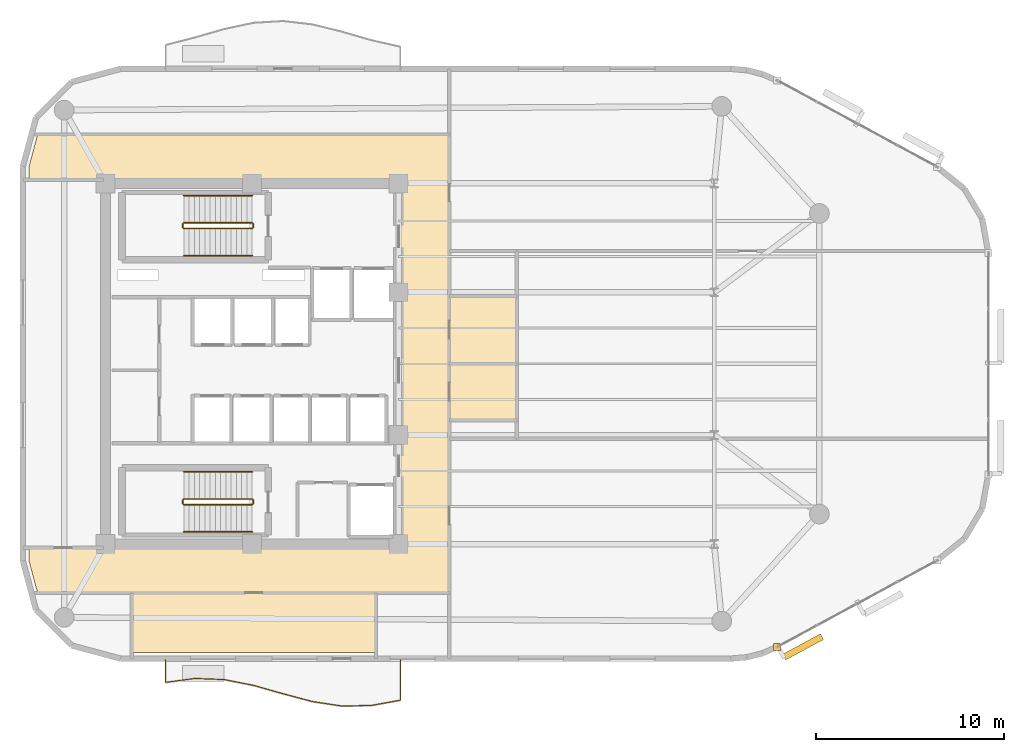
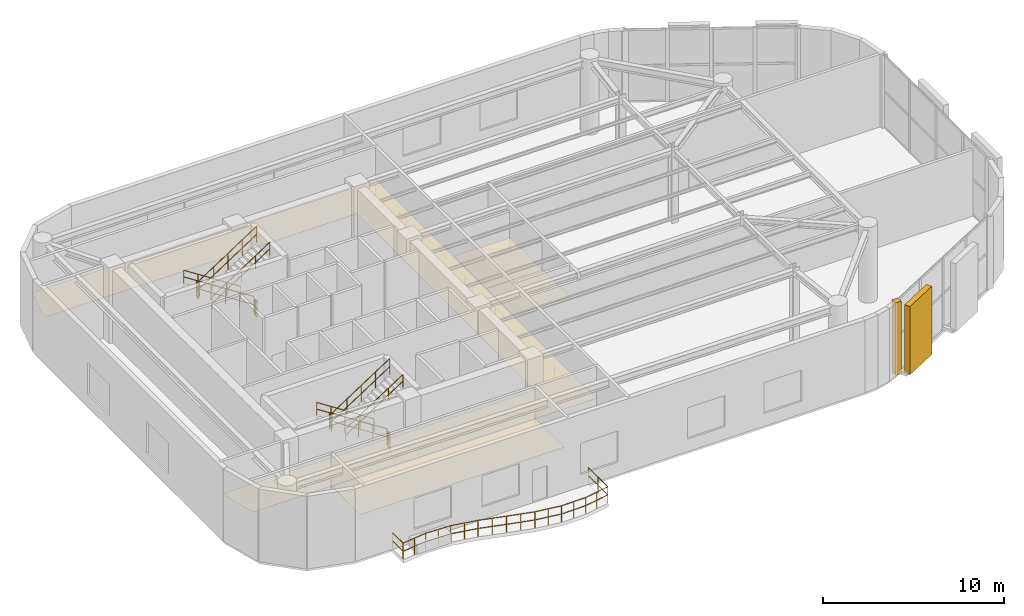
# One storey, part 10 of 11: 13 railings, 5 coverings, 1 shading device.
"""IFC4 building model written with IfcOpenShell, lengths in metres."""

from ifc_helpers import new_model, si_unit, direction, frame, origin, origin_2d, place, context, subcontext, project, spatial, polyline, rectangle, circle, outline, extrude, material, layer, layer_set, type_object, element, save


model = new_model("IFC4")

# Units and contexts
model_context = context("Model", 3, precision=1e-05, world=origin(), true_north=direction((0.0, 1.0)))
body_context = subcontext(model_context, "Body", "Model", "MODEL_VIEW")
ifc_project = project(units=[si_unit("LENGTHUNIT", "METRE"), si_unit("AREAUNIT", "SQUARE_METRE"), si_unit("VOLUMEUNIT", "CUBIC_METRE"), si_unit("PLANEANGLEUNIT", "RADIAN"), si_unit("MASSUNIT", "GRAM", prefix="KILO")], contexts=[model_context])

# Site, building, storey
site_placement = place(None, origin())
site = spatial("IfcSite", under=ifc_project, at=site_placement, CompositionType="ELEMENT")
building_placement = place(site_placement, origin())
building = spatial("IfcBuilding", under=site, at=building_placement, Name="An Khanh Terracotta Commons", CompositionType="ELEMENT")
storey_placement = place(building_placement, frame((0.0, 0.0, 196.199951171875)))
storey = spatial("IfcBuildingStorey", under=building, at=storey_placement, Name="L51", CompositionType="ELEMENT", Elevation=196.199951171875)

# Coverings
ifc_material_1 = material(Name="Perforated Mineral-Fibre Acoustic Tile")
ifc_layer_1 = layer(ifc_material_1, 0.02001953125, Name="Perforated Mineral-Fibre Acoustic Tile")
ifc_layer_set_1 = layer_set([ifc_layer_1], Name="Perforated Mineral-Fibre Acoustic Tile")
covering_type_1 = type_object("IfcCoveringType", Name="CEIL-ACOUSTIC-18", PredefinedType="CEILING", material=ifc_layer_set_1)
covering_1_placement = place(storey_placement, frame((0.0, 0.0, 2.650146484375)))
element("IfcCovering", 1, at=covering_1_placement, inside=storey, type_object=covering_type_1, Name="L51 Sky Lobby Ceiling", PredefinedType="CEILING", context=body_context, shape_type="SweptSolid", body=[
    extrude(outline(polyline([(17.987060546875, 11.800048828125), (17.52001953125, 13.5419921875), (17.52001953125, 14.199951171875), (37.300048828125, 14.199951171875), (37.300048828125, 14.280029296875), (37.320068359375, 14.280029296875), (37.320068359375, 33.719970703125), (37.300048828125, 33.719970703125), (37.300048828125, 33.800048828125), (17.52001953125, 33.800048828125), (17.52001953125, 34.4580078125), (17.987060546875, 36.199951171875), (39.89990234375, 36.199951171875), (39.89990234375, 35.800048828125), (39.89990234375, 33.800048828125), (39.89990234375, 14.199951171875), (39.89990234375, 12.199951171875), (39.89990234375, 11.800048828125), (17.987060546875, 11.800048828125)])), origin(), (0.0, 0.0, 1.0), 0.02001953125),
])
covering_2_placement = place(storey_placement, frame((0.0, 0.0, 2.650146484375)))
element("IfcCovering", 2, at=covering_2_placement, inside=storey, type_object=covering_type_1, Name="L51 Sky Lobby Accessible WC Ceiling", PredefinedType="CEILING", context=body_context, shape_type="SweptSolid", body=[
    extrude(outline(polyline([(39.89990234375, 24.0), (43.5, 24.0), (43.5, 21.0), (39.89990234375, 21.0), (39.89990234375, 24.0)])), origin(), (0.0, 0.0, 1.0), 0.02001953125),
])
covering_3_placement = place(storey_placement, frame((0.0, 0.0, 2.650146484375)))
element("IfcCovering", 3, at=covering_3_placement, inside=storey, type_object=covering_type_1, Name="L51 Sky Lobby Public Restrooms Ceiling", PredefinedType="CEILING", context=body_context, shape_type="SweptSolid", body=[
    extrude(outline(polyline([(39.89990234375, 27.60009765625), (43.5, 27.60009765625), (43.5, 24.0), (39.89990234375, 24.0), (39.89990234375, 27.60009765625)])), origin(), (0.0, 0.0, 1.0), 0.02001953125),
])
covering_4_placement = place(storey_placement, frame((0.0, 0.0, 2.650146484375)))
element("IfcCovering", 4, at=covering_4_placement, inside=storey, type_object=covering_type_1, Name="L51 Sky Lobby Pantry Store Ceiling", PredefinedType="CEILING", context=body_context, shape_type="SweptSolid", body=[
    extrude(outline(polyline([(23.0, 8.6201171875), (23.0, 11.800048828125), (36.0, 11.800048828125), (36.0, 8.6201171875), (23.0, 8.6201171875)])), origin(), (0.0, 0.0, 1.0), 0.02001953125),
])
ifc_material_2 = material(Name="Fired Terracotta Rainscreen Cladding", Category="masonry")
ifc_layer_2 = layer(ifc_material_2, 0.080078125, Name="Fired Terracotta Rainscreen Cladding")
ifc_layer_set_2 = layer_set([ifc_layer_2], Name="Fired Terracotta Rainscreen Cladding")
covering_type_2 = type_object("IfcCoveringType", Name="COV-JAMB-TERRA", PredefinedType="CLADDING", material=ifc_layer_set_2)
covering_5_placement = place(storey_placement, frame((57.35693359375, 8.925048828125, 0.0), z_axis=(0.0, 0.0, 1.0), x_axis=(1.0, 0.0, 0.0)))
element("IfcCovering", 5, at=covering_5_placement, inside=storey, type_object=covering_type_2, Name="L51 CW-04 Curtain-Wall Jamb Closure JA", PredefinedType="CLADDING", context=body_context, shape_type="SweptSolid", body=[
    extrude(rectangle(XDim=0.3798828125, YDim=0.3798828125, at=origin_2d()), origin(), (0.0, 0.0, 1.0), 4.89990234375),
])

# Railings
ifc_material_3 = material(Name="Brushed Stainless Steel 316", Category="steel")
railing_type_1 = type_object("IfcRailingType", Name="RAIL-BALUSTRADE-1100", PredefinedType="BALUSTRADE", material=ifc_material_3)
railing_1_placement = place(storey_placement, frame((24.800048828125, 8.239990234375, 0.0)))
element("IfcRailing", 6, at=railing_1_placement, inside=storey, type_object=railing_type_1, Name="L51 S Wave Balcony Guard Balustrade", PredefinedType="BALUSTRADE", context=body_context, shape_type="SweptSolid", body=[
    extrude(circle(Radius=0.02392578125, at=origin_2d()), frame((0.0, 0.0, 1.076171875), z_axis=(0.0, -1.0, 0.0), x_axis=(1.0, 0.0, 0.0)), (0.0, 0.0, 1.0), 1.199951171875),
    extrude(circle(Radius=0.02392578125, at=origin_2d()), frame((0.0, 0.0, 0.52587890625), z_axis=(0.0, -1.0, 0.0), x_axis=(1.0, 0.0, 0.0)), (0.0, 0.0, 1.0), 1.199951171875),
    extrude(circle(Radius=0.02392578125, at=origin_2d()), frame((0.0, -1.199951171875, 1.076171875), z_axis=(0.991179155362, 0.132528796781, 0.0), x_axis=(-0.132528796781, 0.991179155362, 0.0)), (0.0, 0.0, 1.0), 1.576904296875),
    extrude(circle(Radius=0.02392578125, at=origin_2d()), frame((0.0, -1.199951171875, 0.52587890625), z_axis=(0.991179155362, 0.132528796781, 0.0), x_axis=(-0.132528796781, 0.991179155362, 0.0)), (0.0, 0.0, 1.0), 1.576904296875),
    extrude(circle(Radius=0.02392578125, at=origin_2d()), frame((1.56298828125, -0.990966796875, 1.076171875), z_axis=(0.999237456582, -0.039044914684, 0.0), x_axis=(0.039044914684, 0.999237456582, 0.0)), (0.0, 0.0, 1.0), 1.563232421875),
    extrude(circle(Radius=0.02392578125, at=origin_2d()), frame((1.56298828125, -0.990966796875, 0.52587890625), z_axis=(0.999237456582, -0.039044914684, 0.0), x_axis=(0.039044914684, 0.999237456582, 0.0)), (0.0, 0.0, 1.0), 1.563232421875),
    extrude(circle(Radius=0.02392578125, at=origin_2d()), frame((3.125, -1.052001953125, 1.076171875), z_axis=(0.981119203347, -0.193404004159, 0.0), x_axis=(0.193404004159, 0.981119203347, 0.0)), (0.0, 0.0, 1.0), 1.593017578125),
    extrude(circle(Radius=0.02392578125, at=origin_2d()), frame((3.125, -1.052001953125, 0.52587890625), z_axis=(0.981119203347, -0.193404004159, 0.0), x_axis=(0.193404004159, 0.981119203347, 0.0)), (0.0, 0.0, 1.0), 1.593017578125),
    extrude(circle(Radius=0.02392578125, at=origin_2d()), frame((4.68798828125, -1.360107421875, 1.076171875), z_axis=(0.961920085943, -0.273330840301, 0.0), x_axis=(0.273330840301, 0.961920085943, 0.0)), (0.0, 0.0, 1.0), 1.623779296875),
    extrude(circle(Radius=0.02392578125, at=origin_2d()), frame((4.68798828125, -1.360107421875, 0.52587890625), z_axis=(0.961920085943, -0.273330840301, 0.0), x_axis=(0.273330840301, 0.961920085943, 0.0)), (0.0, 0.0, 1.0), 1.623779296875),
    extrude(circle(Radius=0.02392578125, at=origin_2d()), frame((6.25, -1.803955078125, 1.076171875), z_axis=(0.966315109969, -0.257361823599, 0.0), x_axis=(0.257361823599, 0.966315109969, 0.0)), (0.0, 0.0, 1.0), 1.616455078125),
    extrude(circle(Radius=0.02392578125, at=origin_2d()), frame((6.25, -1.803955078125, 0.52587890625), z_axis=(0.966315109969, -0.257361823599, 0.0), x_axis=(0.257361823599, 0.966315109969, 0.0)), (0.0, 0.0, 1.0), 1.616455078125),
    extrude(circle(Radius=0.02392578125, at=origin_2d()), frame((7.81201171875, -2.219970703125, 1.076171875), z_axis=(0.988600856151, -0.150560111644, 0.0), x_axis=(0.150560111644, 0.988600856151, 0.0)), (0.0, 0.0, 1.0), 1.5810546875),
    extrude(circle(Radius=0.02392578125, at=origin_2d()), frame((7.81201171875, -2.219970703125, 0.52587890625), z_axis=(0.988600856151, -0.150560111644, 0.0), x_axis=(0.150560111644, 0.988600856151, 0.0)), (0.0, 0.0, 1.0), 1.5810546875),
    extrude(circle(Radius=0.02392578125, at=origin_2d()), frame((9.375, -2.4580078125, 1.076171875), z_axis=(0.999838500197, 0.017971464133, 0.0), x_axis=(-0.017971464133, 0.999838500197, 0.0)), (0.0, 0.0, 1.0), 1.562255859375),
    extrude(circle(Radius=0.02392578125, at=origin_2d()), frame((9.375, -2.4580078125, 0.52587890625), z_axis=(0.999838500197, 0.017971464133, 0.0), x_axis=(-0.017971464133, 0.999838500197, 0.0)), (0.0, 0.0, 1.0), 1.562255859375),
    extrude(circle(Radius=0.02392578125, at=origin_2d()), frame((10.93701171875, -2.429931640625, 1.076171875), z_axis=(0.984004887258, 0.178141465844, 0.0), x_axis=(-0.178141465844, 0.984004887258, 0.0)), (0.0, 0.0, 1.0), 1.58837890625),
    extrude(circle(Radius=0.02392578125, at=origin_2d()), frame((10.93701171875, -2.429931640625, 0.52587890625), z_axis=(0.984004887258, 0.178141465844, 0.0), x_axis=(-0.178141465844, 0.984004887258, 0.0)), (0.0, 0.0, 1.0), 1.58837890625),
    extrude(circle(Radius=0.02392578125, at=origin_2d()), frame((12.5, -2.14697265625, 1.076171875), z_axis=(0.0, 1.0, 0.0), x_axis=(-1.0, 0.0, 0.0)), (0.0, 0.0, 1.0), 2.14697265625),
    extrude(circle(Radius=0.02392578125, at=origin_2d()), frame((12.5, -2.14697265625, 0.52587890625), z_axis=(0.0, 1.0, 0.0), x_axis=(-1.0, 0.0, 0.0)), (0.0, 0.0, 1.0), 2.14697265625),
    extrude(circle(Radius=0.02099609375, at=origin_2d()), origin(), (0.0, 0.0, 1.0), 1.052001953125),
    extrude(circle(Radius=0.02099609375, at=origin_2d()), frame((0.0, -1.199951171875, 0.0)), (0.0, 0.0, 1.0), 1.052001953125),
    extrude(circle(Radius=0.02099609375, at=origin_2d()), frame((0.781494140625, -1.095458984375, 0.0)), (0.0, 0.0, 1.0), 1.052001953125),
    extrude(circle(Radius=0.02099609375, at=origin_2d()), frame((1.56298828125, -0.990966796875, 0.0)), (0.0, 0.0, 1.0), 1.052001953125),
    extrude(circle(Radius=0.02099609375, at=origin_2d()), frame((2.343994140625, -1.021484375, 0.0)), (0.0, 0.0, 1.0), 1.052001953125),
    extrude(circle(Radius=0.02099609375, at=origin_2d()), frame((3.125, -1.052001953125, 0.0)), (0.0, 0.0, 1.0), 1.052001953125),
    extrude(circle(Radius=0.02099609375, at=origin_2d()), frame((3.906494140625, -1.2060546875, 0.0)), (0.0, 0.0, 1.0), 1.052001953125),
    extrude(circle(Radius=0.02099609375, at=origin_2d()), frame((4.68798828125, -1.360107421875, 0.0)), (0.0, 0.0, 1.0), 1.052001953125),
    extrude(circle(Radius=0.02099609375, at=origin_2d()), frame((5.468994140625, -1.58203125, 0.0)), (0.0, 0.0, 1.0), 1.052001953125),
    extrude(circle(Radius=0.02099609375, at=origin_2d()), frame((6.25, -1.803955078125, 0.0)), (0.0, 0.0, 1.0), 1.052001953125),
    extrude(circle(Radius=0.02099609375, at=origin_2d()), frame((7.031005859375, -2.011962890625, 0.0)), (0.0, 0.0, 1.0), 1.052001953125),
    extrude(circle(Radius=0.02099609375, at=origin_2d()), frame((7.81201171875, -2.219970703125, 0.0)), (0.0, 0.0, 1.0), 1.052001953125),
    extrude(circle(Radius=0.02099609375, at=origin_2d()), frame((8.593505859375, -2.3388671875, 0.0)), (0.0, 0.0, 1.0), 1.052001953125),
    extrude(circle(Radius=0.02099609375, at=origin_2d()), frame((9.375, -2.4580078125, 0.0)), (0.0, 0.0, 1.0), 1.052001953125),
    extrude(circle(Radius=0.02099609375, at=origin_2d()), frame((10.156005859375, -2.44384765625, 0.0)), (0.0, 0.0, 1.0), 1.052001953125),
    extrude(circle(Radius=0.02099609375, at=origin_2d()), frame((10.93701171875, -2.429931640625, 0.0)), (0.0, 0.0, 1.0), 1.052001953125),
    extrude(circle(Radius=0.02099609375, at=origin_2d()), frame((11.718505859375, -2.28857421875, 0.0)), (0.0, 0.0, 1.0), 1.052001953125),
    extrude(circle(Radius=0.02099609375, at=origin_2d()), frame((12.5, -2.14697265625, 0.0)), (0.0, 0.0, 1.0), 1.052001953125),
    extrude(circle(Radius=0.02099609375, at=origin_2d()), frame((12.5, -1.073486328125, 0.0)), (0.0, 0.0, 1.0), 1.052001953125),
    extrude(circle(Radius=0.02099609375, at=origin_2d()), frame((12.5, 0.0, 0.0)), (0.0, 0.0, 1.0), 1.052001953125),
])
railing_type_2 = type_object("IfcRailingType", Name="RAIL-HANDRAIL-900", PredefinedType="HANDRAIL", material=ifc_material_3)
railing_2_placement = place(storey_placement, frame((29.409912109375, 32.949951171875, 0.18212890625)))
element("IfcRailing", 7, at=railing_2_placement, inside=storey, type_object=railing_type_2, Name="L51 ST-01 stair handrail 1", PredefinedType="HANDRAIL", context=body_context, shape_type="SweptSolid", body=[
    extrude(circle(Radius=0.02392578125, at=origin_2d()), frame((0.0, 0.0, 0.8759765625), z_axis=(-0.838234174257, 0.0, 0.545310433706), x_axis=(0.0, -1.0, 0.0)), (0.0, 0.0, 1.0), 4.34228515625),
    extrude(circle(Radius=0.02392578125, at=origin_2d()), frame((0.0, 0.0, 0.42578125), z_axis=(-0.838234174257, 0.0, 0.545310433706), x_axis=(0.0, -1.0, 0.0)), (0.0, 0.0, 1.0), 4.34228515625),
    extrude(circle(Radius=0.02099609375, at=origin_2d()), origin(), (0.0, 0.0, 1.0), 0.851806640625),
    extrude(circle(Radius=0.02099609375, at=origin_2d()), frame((-0.909912109375, 0.0, 0.592041015625)), (0.0, 0.0, 1.0), 0.851806640625),
    extrude(circle(Radius=0.02099609375, at=origin_2d()), frame((-1.81982421875, 0.0, 1.18408203125)), (0.0, 0.0, 1.0), 0.851806640625),
    extrude(circle(Radius=0.02099609375, at=origin_2d()), frame((-2.72998046875, 0.0, 1.77587890625)), (0.0, 0.0, 1.0), 0.851806640625),
    extrude(circle(Radius=0.02099609375, at=origin_2d()), frame((-3.639892578125, 0.0, 2.367919921875)), (0.0, 0.0, 1.0), 0.851806640625),
])
railing_3_placement = place(storey_placement, frame((25.77001953125, 29.75, 2.732177734375)))
element("IfcRailing", 8, at=railing_3_placement, inside=storey, type_object=railing_type_2, Name="L51 ST-01 stair handrail 2", PredefinedType="HANDRAIL", context=body_context, shape_type="SweptSolid", body=[
    extrude(circle(Radius=0.02392578125, at=origin_2d()), frame((0.0, 0.0, 0.8759765625), z_axis=(0.838234174257, 0.0, 0.545310433706), x_axis=(0.0, 1.0, 0.0)), (0.0, 0.0, 1.0), 4.34228515625),
    extrude(circle(Radius=0.02392578125, at=origin_2d()), frame((0.0, 0.0, 0.42578125), z_axis=(0.838234174257, 0.0, 0.545310433706), x_axis=(0.0, 1.0, 0.0)), (0.0, 0.0, 1.0), 4.34228515625),
    extrude(circle(Radius=0.02099609375, at=origin_2d()), origin(), (0.0, 0.0, 1.0), 0.851806640625),
    extrude(circle(Radius=0.02099609375, at=origin_2d()), frame((0.909912109375, 0.0, 0.592041015625)), (0.0, 0.0, 1.0), 0.851806640625),
    extrude(circle(Radius=0.02099609375, at=origin_2d()), frame((1.81982421875, 0.0, 1.18408203125)), (0.0, 0.0, 1.0), 0.851806640625),
    extrude(circle(Radius=0.02099609375, at=origin_2d()), frame((2.72998046875, 0.0, 1.77587890625)), (0.0, 0.0, 1.0), 0.851806640625),
    extrude(circle(Radius=0.02099609375, at=origin_2d()), frame((3.639892578125, 0.0, 2.367919921875)), (0.0, 0.0, 1.0), 0.851806640625),
])
railing_4_placement = place(storey_placement, frame((29.409912109375, 18.25, 0.18212890625)))
element("IfcRailing", 9, at=railing_4_placement, inside=storey, type_object=railing_type_2, Name="L51 ST-02 stair handrail 1", PredefinedType="HANDRAIL", context=body_context, shape_type="SweptSolid", body=[
    extrude(circle(Radius=0.02392578125, at=origin_2d()), frame((0.0, 0.0, 0.8759765625), z_axis=(-0.838234174257, 0.0, 0.545310433706), x_axis=(0.0, -1.0, 0.0)), (0.0, 0.0, 1.0), 4.34228515625),
    extrude(circle(Radius=0.02392578125, at=origin_2d()), frame((0.0, 0.0, 0.42578125), z_axis=(-0.838234174257, 0.0, 0.545310433706), x_axis=(0.0, -1.0, 0.0)), (0.0, 0.0, 1.0), 4.34228515625),
    extrude(circle(Radius=0.02099609375, at=origin_2d()), origin(), (0.0, 0.0, 1.0), 0.851806640625),
    extrude(circle(Radius=0.02099609375, at=origin_2d()), frame((-0.909912109375, 0.0, 0.592041015625)), (0.0, 0.0, 1.0), 0.851806640625),
    extrude(circle(Radius=0.02099609375, at=origin_2d()), frame((-1.81982421875, 0.0, 1.18408203125)), (0.0, 0.0, 1.0), 0.851806640625),
    extrude(circle(Radius=0.02099609375, at=origin_2d()), frame((-2.72998046875, 0.0, 1.77587890625)), (0.0, 0.0, 1.0), 0.851806640625),
    extrude(circle(Radius=0.02099609375, at=origin_2d()), frame((-3.639892578125, 0.0, 2.367919921875)), (0.0, 0.0, 1.0), 0.851806640625),
])
railing_5_placement = place(storey_placement, frame((25.77001953125, 15.050048828125, 2.732177734375)))
element("IfcRailing", 10, at=railing_5_placement, inside=storey, type_object=railing_type_2, Name="L51 ST-02 stair handrail 2", PredefinedType="HANDRAIL", context=body_context, shape_type="SweptSolid", body=[
    extrude(circle(Radius=0.02392578125, at=origin_2d()), frame((0.0, 0.0, 0.8759765625), z_axis=(0.838234174257, 0.0, 0.545310433706), x_axis=(0.0, 1.0, 0.0)), (0.0, 0.0, 1.0), 4.34228515625),
    extrude(circle(Radius=0.02392578125, at=origin_2d()), frame((0.0, 0.0, 0.42578125), z_axis=(0.838234174257, 0.0, 0.545310433706), x_axis=(0.0, 1.0, 0.0)), (0.0, 0.0, 1.0), 4.34228515625),
    extrude(circle(Radius=0.02099609375, at=origin_2d()), origin(), (0.0, 0.0, 1.0), 0.851806640625),
    extrude(circle(Radius=0.02099609375, at=origin_2d()), frame((0.909912109375, 0.0, 0.592041015625)), (0.0, 0.0, 1.0), 0.851806640625),
    extrude(circle(Radius=0.02099609375, at=origin_2d()), frame((1.81982421875, 0.0, 1.18408203125)), (0.0, 0.0, 1.0), 0.851806640625),
    extrude(circle(Radius=0.02099609375, at=origin_2d()), frame((2.72998046875, 0.0, 1.77587890625)), (0.0, 0.0, 1.0), 0.851806640625),
    extrude(circle(Radius=0.02099609375, at=origin_2d()), frame((3.639892578125, 0.0, 2.367919921875)), (0.0, 0.0, 1.0), 0.851806640625),
])
ifc_material_4 = material(Name="Powder-Coated Steel S355J2", Category="steel")
railing_type_3 = type_object("IfcRailingType", Name="RAIL-STAIR-GUARD-1100", PredefinedType="BALUSTRADE", material=ifc_material_4)
railing_6_placement = place(storey_placement, frame((29.409912109375, 31.5, 0.18212890625)))
element("IfcRailing", 11, at=railing_6_placement, inside=storey, type_object=railing_type_3, Name="L51 ST-01 stair guard 1", PredefinedType="BALUSTRADE", context=body_context, shape_type="SweptSolid", body=[
    extrude(circle(Radius=0.02392578125, at=origin_2d()), frame((0.0, 0.0, 1.076171875), z_axis=(-0.838234174257, 0.0, 0.545310433706), x_axis=(0.0, -1.0, 0.0)), (0.0, 0.0, 1.0), 4.34228515625),
    extrude(circle(Radius=0.02392578125, at=origin_2d()), frame((0.0, 0.0, 0.52587890625), z_axis=(-0.838234174257, 0.0, 0.545310433706), x_axis=(0.0, -1.0, 0.0)), (0.0, 0.0, 1.0), 4.34228515625),
    extrude(circle(Radius=0.02099609375, at=origin_2d()), origin(), (0.0, 0.0, 1.0), 1.052001953125),
    extrude(circle(Radius=0.02099609375, at=origin_2d()), frame((-0.909912109375, 0.0, 0.592041015625)), (0.0, 0.0, 1.0), 1.052001953125),
    extrude(circle(Radius=0.02099609375, at=origin_2d()), frame((-1.81982421875, 0.0, 1.18408203125)), (0.0, 0.0, 1.0), 1.052001953125),
    extrude(circle(Radius=0.02099609375, at=origin_2d()), frame((-2.72998046875, 0.0, 1.77587890625)), (0.0, 0.0, 1.0), 1.052001953125),
    extrude(circle(Radius=0.02099609375, at=origin_2d()), frame((-3.639892578125, 0.0, 2.367919921875)), (0.0, 0.0, 1.0), 1.052001953125),
])
railing_7_placement = place(storey_placement, frame((25.719970703125, 31.449951171875, 2.550048828125)))
element("IfcRailing", 12, at=railing_7_placement, inside=storey, type_object=railing_type_3, Name="L51 ST-01 stair guard 2", PredefinedType="BALUSTRADE", context=body_context, shape_type="SweptSolid", body=[
    extrude(circle(Radius=0.02392578125, at=origin_2d()), frame((0.0, 0.0, 1.076171875), z_axis=(0.0, -1.0, 0.0), x_axis=(1.0, 0.0, 0.0)), (0.0, 0.0, 1.0), 0.199951171875),
    extrude(circle(Radius=0.02392578125, at=origin_2d()), frame((0.0, 0.0, 0.52587890625), z_axis=(0.0, -1.0, 0.0), x_axis=(1.0, 0.0, 0.0)), (0.0, 0.0, 1.0), 0.199951171875),
    extrude(circle(Radius=0.02099609375, at=origin_2d()), origin(), (0.0, 0.0, 1.0), 1.052001953125),
    extrude(circle(Radius=0.02099609375, at=origin_2d()), frame((0.0, -0.199951171875, 0.0)), (0.0, 0.0, 1.0), 1.052001953125),
])
railing_8_placement = place(storey_placement, frame((25.77001953125, 31.199951171875, 2.732177734375)))
element("IfcRailing", 13, at=railing_8_placement, inside=storey, type_object=railing_type_3, Name="L51 ST-01 stair guard 3", PredefinedType="BALUSTRADE", context=body_context, shape_type="SweptSolid", body=[
    extrude(circle(Radius=0.02392578125, at=origin_2d()), frame((0.0, 0.0, 1.076171875), z_axis=(0.838234174257, 0.0, 0.545310433706), x_axis=(0.0, 1.0, 0.0)), (0.0, 0.0, 1.0), 4.34228515625),
    extrude(circle(Radius=0.02392578125, at=origin_2d()), frame((0.0, 0.0, 0.52587890625), z_axis=(0.838234174257, 0.0, 0.545310433706), x_axis=(0.0, 1.0, 0.0)), (0.0, 0.0, 1.0), 4.34228515625),
    extrude(circle(Radius=0.02099609375, at=origin_2d()), origin(), (0.0, 0.0, 1.0), 1.052001953125),
    extrude(circle(Radius=0.02099609375, at=origin_2d()), frame((0.909912109375, 0.0, 0.592041015625)), (0.0, 0.0, 1.0), 1.052001953125),
    extrude(circle(Radius=0.02099609375, at=origin_2d()), frame((1.81982421875, 0.0, 1.18408203125)), (0.0, 0.0, 1.0), 1.052001953125),
    extrude(circle(Radius=0.02099609375, at=origin_2d()), frame((2.72998046875, 0.0, 1.77587890625)), (0.0, 0.0, 1.0), 1.052001953125),
    extrude(circle(Radius=0.02099609375, at=origin_2d()), frame((3.639892578125, 0.0, 2.367919921875)), (0.0, 0.0, 1.0), 1.052001953125),
])
railing_9_placement = place(storey_placement, frame((29.4599609375, 31.449951171875, 0.0)))
element("IfcRailing", 14, at=railing_9_placement, inside=storey, type_object=railing_type_3, Name="L51 ST-01 stair guard 4", PredefinedType="BALUSTRADE", context=body_context, shape_type="SweptSolid", body=[
    extrude(circle(Radius=0.02392578125, at=origin_2d()), frame((0.0, 0.0, 1.076171875), z_axis=(0.0, -1.0, 0.0), x_axis=(1.0, 0.0, 0.0)), (0.0, 0.0, 1.0), 0.199951171875),
    extrude(circle(Radius=0.02392578125, at=origin_2d()), frame((0.0, 0.0, 0.52587890625), z_axis=(0.0, -1.0, 0.0), x_axis=(1.0, 0.0, 0.0)), (0.0, 0.0, 1.0), 0.199951171875),
    extrude(circle(Radius=0.02099609375, at=origin_2d()), origin(), (0.0, 0.0, 1.0), 1.052001953125),
    extrude(circle(Radius=0.02099609375, at=origin_2d()), frame((0.0, -0.199951171875, 0.0)), (0.0, 0.0, 1.0), 1.052001953125),
])
railing_10_placement = place(storey_placement, frame((29.409912109375, 16.800048828125, 0.18212890625)))
element("IfcRailing", 15, at=railing_10_placement, inside=storey, type_object=railing_type_3, Name="L51 ST-02 stair guard 1", PredefinedType="BALUSTRADE", context=body_context, shape_type="SweptSolid", body=[
    extrude(circle(Radius=0.02392578125, at=origin_2d()), frame((0.0, 0.0, 1.076171875), z_axis=(-0.838234174257, 0.0, 0.545310433706), x_axis=(0.0, -1.0, 0.0)), (0.0, 0.0, 1.0), 4.34228515625),
    extrude(circle(Radius=0.02392578125, at=origin_2d()), frame((0.0, 0.0, 0.52587890625), z_axis=(-0.838234174257, 0.0, 0.545310433706), x_axis=(0.0, -1.0, 0.0)), (0.0, 0.0, 1.0), 4.34228515625),
    extrude(circle(Radius=0.02099609375, at=origin_2d()), origin(), (0.0, 0.0, 1.0), 1.052001953125),
    extrude(circle(Radius=0.02099609375, at=origin_2d()), frame((-0.909912109375, 0.0, 0.592041015625)), (0.0, 0.0, 1.0), 1.052001953125),
    extrude(circle(Radius=0.02099609375, at=origin_2d()), frame((-1.81982421875, 0.0, 1.18408203125)), (0.0, 0.0, 1.0), 1.052001953125),
    extrude(circle(Radius=0.02099609375, at=origin_2d()), frame((-2.72998046875, 0.0, 1.77587890625)), (0.0, 0.0, 1.0), 1.052001953125),
    extrude(circle(Radius=0.02099609375, at=origin_2d()), frame((-3.639892578125, 0.0, 2.367919921875)), (0.0, 0.0, 1.0), 1.052001953125),
])
railing_11_placement = place(storey_placement, frame((25.719970703125, 16.75, 2.550048828125)))
element("IfcRailing", 16, at=railing_11_placement, inside=storey, type_object=railing_type_3, Name="L51 ST-02 stair guard 2", PredefinedType="BALUSTRADE", context=body_context, shape_type="SweptSolid", body=[
    extrude(circle(Radius=0.02392578125, at=origin_2d()), frame((0.0, 0.0, 1.076171875), z_axis=(0.0, -1.0, 0.0), x_axis=(1.0, 0.0, 0.0)), (0.0, 0.0, 1.0), 0.199951171875),
    extrude(circle(Radius=0.02392578125, at=origin_2d()), frame((0.0, 0.0, 0.52587890625), z_axis=(0.0, -1.0, 0.0), x_axis=(1.0, 0.0, 0.0)), (0.0, 0.0, 1.0), 0.199951171875),
    extrude(circle(Radius=0.02099609375, at=origin_2d()), origin(), (0.0, 0.0, 1.0), 1.052001953125),
    extrude(circle(Radius=0.02099609375, at=origin_2d()), frame((0.0, -0.199951171875, 0.0)), (0.0, 0.0, 1.0), 1.052001953125),
])
railing_12_placement = place(storey_placement, frame((25.77001953125, 16.5, 2.732177734375)))
element("IfcRailing", 17, at=railing_12_placement, inside=storey, type_object=railing_type_3, Name="L51 ST-02 stair guard 3", PredefinedType="BALUSTRADE", context=body_context, shape_type="SweptSolid", body=[
    extrude(circle(Radius=0.02392578125, at=origin_2d()), frame((0.0, 0.0, 1.076171875), z_axis=(0.838234174257, 0.0, 0.545310433706), x_axis=(0.0, 1.0, 0.0)), (0.0, 0.0, 1.0), 4.34228515625),
    extrude(circle(Radius=0.02392578125, at=origin_2d()), frame((0.0, 0.0, 0.52587890625), z_axis=(0.838234174257, 0.0, 0.545310433706), x_axis=(0.0, 1.0, 0.0)), (0.0, 0.0, 1.0), 4.34228515625),
    extrude(circle(Radius=0.02099609375, at=origin_2d()), origin(), (0.0, 0.0, 1.0), 1.052001953125),
    extrude(circle(Radius=0.02099609375, at=origin_2d()), frame((0.909912109375, 0.0, 0.592041015625)), (0.0, 0.0, 1.0), 1.052001953125),
    extrude(circle(Radius=0.02099609375, at=origin_2d()), frame((1.81982421875, 0.0, 1.18408203125)), (0.0, 0.0, 1.0), 1.052001953125),
    extrude(circle(Radius=0.02099609375, at=origin_2d()), frame((2.72998046875, 0.0, 1.77587890625)), (0.0, 0.0, 1.0), 1.052001953125),
    extrude(circle(Radius=0.02099609375, at=origin_2d()), frame((3.639892578125, 0.0, 2.367919921875)), (0.0, 0.0, 1.0), 1.052001953125),
])
railing_13_placement = place(storey_placement, frame((29.4599609375, 16.75, 0.0)))
element("IfcRailing", 18, at=railing_13_placement, inside=storey, type_object=railing_type_3, Name="L51 ST-02 stair guard 4", PredefinedType="BALUSTRADE", context=body_context, shape_type="SweptSolid", body=[
    extrude(circle(Radius=0.02392578125, at=origin_2d()), frame((0.0, 0.0, 1.076171875), z_axis=(0.0, -1.0, 0.0), x_axis=(1.0, 0.0, 0.0)), (0.0, 0.0, 1.0), 0.199951171875),
    extrude(circle(Radius=0.02392578125, at=origin_2d()), frame((0.0, 0.0, 0.52587890625), z_axis=(0.0, -1.0, 0.0), x_axis=(1.0, 0.0, 0.0)), (0.0, 0.0, 1.0), 0.199951171875),
    extrude(circle(Radius=0.02099609375, at=origin_2d()), origin(), (0.0, 0.0, 1.0), 1.052001953125),
    extrude(circle(Radius=0.02099609375, at=origin_2d()), frame((0.0, -0.199951171875, 0.0)), (0.0, 0.0, 1.0), 1.052001953125),
])

# Shading device
ifc_material_5 = material(Name="Extruded Fired Terracotta", Category="masonry")
shading_device_type = type_object("IfcShadingDeviceType", Name="Terracotta Baguette Screen Assembly", PredefinedType="USERDEFINED", material=ifc_material_5)
shading_device_placement = place(storey_placement, frame((58.72998046875, 8.927978515625, 0.14990234375), z_axis=(0.0, 0.0, 1.0), x_axis=(0.879780095306, 0.47538088298, 0.0)))
element("IfcShadingDevice", 19, at=shading_device_placement, inside=storey, type_object=shading_device_type, Name="L51 Terracotta Baguette Screen 1", ObjectType="BAGUETTE", PredefinedType="USERDEFINED", context=body_context, shape_type="SweptSolid", body=[
    extrude(rectangle(XDim=2.300048828125, YDim=0.35009765625, at=origin_2d()), origin(), (0.0, 0.0, 1.0), 4.60009765625),
])

save(model, "model.ifc")
